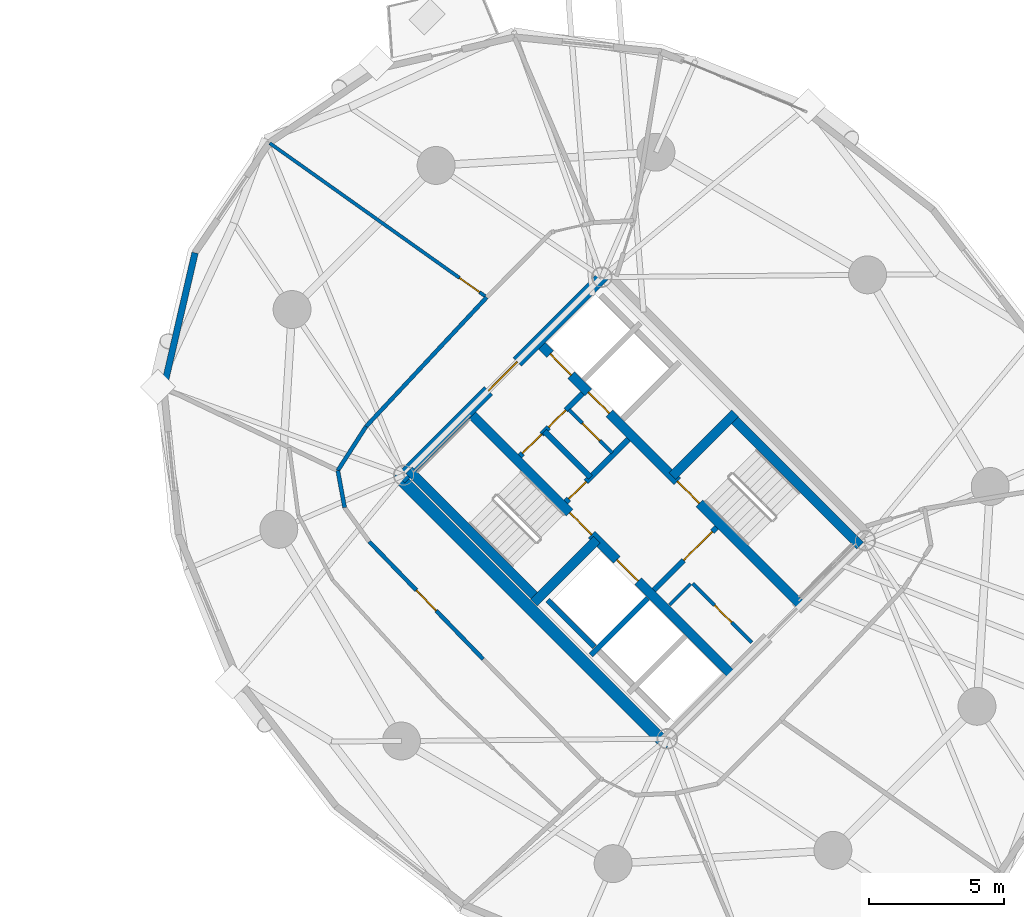
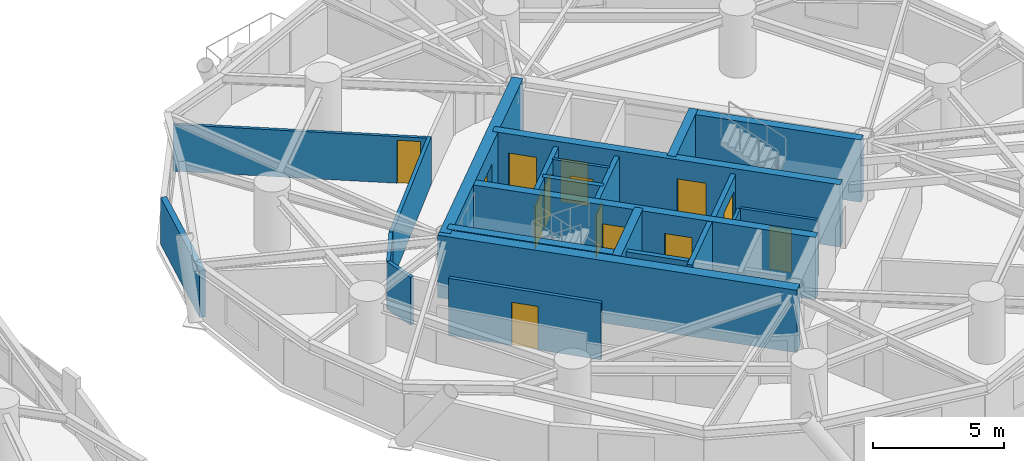
# One storey, part 13 of 18: 23 walls, 14 doors, 14 openings.
"""IFC4 building model written with IfcOpenShell, lengths in metres."""

from ifc_helpers import new_model, si_unit, direction, frame, frame_2d, origin, place, context, subcontext, project, spatial, rectangle, extrude, source, transform, mapped, material, layer, layer_set, type_object, element, fill, save


model = new_model("IFC4")

# Units and contexts
model_context = context("Model", 3, precision=1e-05, world=origin(), true_north=direction((0.0, 1.0)))
body_context = subcontext(model_context, "Body", "Model", "MODEL_VIEW")
ifc_project = project(units=[si_unit("LENGTHUNIT", "METRE"), si_unit("AREAUNIT", "SQUARE_METRE"), si_unit("VOLUMEUNIT", "CUBIC_METRE"), si_unit("PLANEANGLEUNIT", "RADIAN"), si_unit("MASSUNIT", "GRAM", prefix="KILO")], contexts=[model_context])

# Site, building, storey
site_placement = place(None, origin())
site = spatial("IfcSite", under=ifc_project, at=site_placement, CompositionType="ELEMENT")
building_placement = place(site_placement, origin())
building = spatial("IfcBuilding", under=site, at=building_placement, Name="Cununo Teusaquillo Station Towers", CompositionType="ELEMENT")
storey_placement = place(building_placement, frame((0.0, 0.0, 119.6201171875)))
storey = spatial("IfcBuildingStorey", under=building, at=storey_placement, Name="L38", CompositionType="ELEMENT", Elevation=119.6201171875)

# Walls
ifc_material_1 = material(Name="Concrete C50/60", Category="concrete")
ifc_layer_1 = layer(ifc_material_1, 0.199951171875)
ifc_layer_set_1 = layer_set([ifc_layer_1], Name="Concrete C50/60")
wall_type_1 = type_object("IfcWallType", Name="WL-CORE-200", PredefinedType="SHEAR", material=ifc_layer_set_1)
wall_1_placement = place(storey_placement, frame((55.8876953125, 19.0693359375, 0.0), z_axis=(0.0, 0.0, 1.0), x_axis=(0.707106781187, 0.707106781187, 0.0)))
element("IfcWall", 1, at=wall_1_placement, inside=storey, type_object=wall_type_1, Name="L38 Tower B Firefighting Lift Shaft South Shear Wall", PredefinedType="SHEAR", context=body_context, shape_type="SweptSolid", body=[
    extrude(rectangle(XDim=2.969970703125, YDim=0.199951171875, at=frame_2d((1.48486328125, 0.0))), origin(), (0.0, 0.0, 1.0), 2.909912109375),
])
wall_2_placement = place(storey_placement, frame((56.01513671875, 19.366455078125, 0.0), z_axis=(0.0, 0.0, 1.0), x_axis=(-0.707106781187, 0.707106781187, 0.0)))
element("IfcWall", 2, at=wall_2_placement, inside=storey, type_object=wall_type_1, Name="L38 Tower B Firefighting Lift Shaft Rear Shear Wall", PredefinedType="SHEAR", context=body_context, shape_type="SweptSolid", body=[
    extrude(rectangle(XDim=2.43994140625, YDim=0.199951171875, at=frame_2d((1.219970703125, 0.0))), origin(), (0.0, 0.0, 1.0), 2.909912109375),
])

# Wall, openings, doors
ifc_material_2 = material(Name="Concrete C50/60", Category="concrete")
ifc_layer_2 = layer(ifc_material_2, 0.35009765625)
ifc_layer_set_2 = layer_set([ifc_layer_2], Name="Concrete C50/60")
wall_type_2 = type_object("IfcWallType", Name="WL-CORE-350", PredefinedType="SHEAR", material=ifc_layer_set_2)
wall_3_placement = place(storey_placement, frame((61.077880859375, 18.355224609375, 0.0), z_axis=(0.0, 0.0, 1.0), x_axis=(-0.707106781187, 0.707106781187, 0.0)))
wall_3 = element("IfcWall", 3, at=wall_3_placement, inside=storey, type_object=wall_type_2, Name="L38 Tower B Core Shear Wall IW", PredefinedType="SHEAR", context=body_context, shape_type="SweptSolid", body=[
    extrude(rectangle(XDim=13.75, YDim=0.35009765625, at=frame_2d((6.875, 0.0))), origin(), (0.0, 0.0, 1.0), 2.909912109375),
])
shared_shape_1 = source(origin(), body_context, "Body", "SweptSolid", [
    extrude(rectangle(XDim=1.10009765625, YDim=2.014892578125, at=frame_2d((0.550048828125, 1.00732421875))), frame((0.0, 0.18505859375, 0.0), z_axis=(0.0, -1.0, 0.0), x_axis=(1.0, 0.0, 0.0)), (0.0, 0.0, 1.0), 0.3701171875),
])
opening_1_placement = place(wall_3_placement, frame((4.875, 0.0, 0.0)))
opening_1 = element("IfcOpeningElement", 4, at=opening_1_placement, cuts=wall_3, Name="Opening LD-01", PredefinedType="OPENING", context=body_context, shape_type="MappedRepresentation", body=[
    mapped(shared_shape_1, transform((0.0, 0.0, 0.0), x_axis=(1.0, 0.0, 0.0), y_axis=(0.0, 1.0, 0.0), z_axis=(0.0, 0.0, 1.0), scale=1.0)),
])
shared_shape_2 = source(origin(), body_context, "Body", "SweptSolid", [
    extrude(rectangle(XDim=1.14990234375, YDim=2.02001953125, at=frame_2d((0.574951171875, 1.010009765625))), frame((0.0, 0.18505859375, 0.0), z_axis=(0.0, -1.0, 0.0), x_axis=(1.0, 0.0, 0.0)), (0.0, 0.0, 1.0), 0.3701171875),
])
opening_2_placement = place(wall_3_placement, frame((7.294921875, 0.0, 0.0)))
opening_2 = element("IfcOpeningElement", 5, at=opening_2_placement, cuts=wall_3, Name="Opening D-ST1", PredefinedType="OPENING", context=body_context, shape_type="MappedRepresentation", body=[
    mapped(shared_shape_2, transform((0.0, 0.0, 0.0), x_axis=(1.0, 0.0, 0.0), y_axis=(0.0, 1.0, 0.0), z_axis=(0.0, 0.0, 1.0), scale=1.0)),
])
ifc_material_3 = material(Name="Galvanised fire-rated hollow steel door assembly", Category="steel")
door_type_1 = type_object("IfcDoorType", Name="DR-LIFT-1100", OperationType="SLIDING_TO_LEFT", PredefinedType="DOOR", material=ifc_material_3)
shared_shape_3 = source(origin(), body_context, "Body", "SweptSolid", [
    extrude(rectangle(XDim=1.10009765625, YDim=2.014892578125, at=frame_2d((0.550048828125, 1.00732421875))), frame((0.0, 0.02490234375, 0.0), z_axis=(0.0, -1.0, 0.0), x_axis=(1.0, 0.0, 0.0)), (0.0, 0.0, 1.0), 0.050048828125),
])
door_1_placement = place(opening_1_placement, origin())
door_1 = element("IfcDoor", 6, at=door_1_placement, inside=storey, type_object=door_type_1, Name="L38 Lift FL-T2 Sliding Landing Door", OperationType="SLIDING_TO_RIGHT", OverallHeight=2.014892578125, OverallWidth=1.10009765625, PredefinedType="DOOR", context=body_context, shape_type="MappedRepresentation", body=[
    mapped(shared_shape_3, transform((0.0, 0.0, 0.0), x_axis=(1.0, 0.0, 0.0), y_axis=(0.0, 1.0, 0.0), z_axis=(0.0, 0.0, 1.0), scale=1.0)),
])
fill(opening_1, door_1)
ifc_material_4 = material(Name="Galvanised fire-rated hollow steel door assembly", Category="steel")
door_type_2 = type_object("IfcDoorType", Name="DR-STAIR-1150", OperationType="NOTDEFINED", PredefinedType="DOOR", material=ifc_material_4)
shared_shape_4 = source(origin(), body_context, "Body", "SweptSolid", [
    extrude(rectangle(XDim=1.14990234375, YDim=2.02001953125, at=frame_2d((0.574951171875, 1.010009765625))), frame((0.0, 0.02490234375, 0.0), z_axis=(0.0, -1.0, 0.0), x_axis=(1.0, 0.0, 0.0)), (0.0, 0.0, 1.0), 0.050048828125),
])
door_2_placement = place(opening_2_placement, origin())
door_2 = element("IfcDoor", 7, at=door_2_placement, inside=storey, type_object=door_type_2, Name="L38 Tower B Exit Stair 1 Fire Door", OperationType="SINGLE_SWING_RIGHT", OverallHeight=2.02001953125, OverallWidth=1.14990234375, PredefinedType="DOOR", context=body_context, shape_type="MappedRepresentation", body=[
    mapped(shared_shape_4, transform((0.0, 0.0, 0.0), x_axis=(1.0, 0.0, 0.0), y_axis=(0.0, 1.0, 0.0), z_axis=(0.0, 0.0, 1.0), scale=1.0)),
])
fill(opening_2, door_2)

wall_4_placement = place(storey_placement, frame((63.644775390625, 20.922119140625, 0.0), z_axis=(0.0, 0.0, 1.0), x_axis=(-0.707106781187, 0.707106781187, 0.0)))
wall_4 = element("IfcWall", 8, at=wall_4_placement, inside=storey, type_object=wall_type_2, Name="L38 Tower B Core Shear Wall IE", PredefinedType="SHEAR", context=body_context, shape_type="SweptSolid", body=[
    extrude(rectangle(XDim=13.75, YDim=0.35009765625, at=frame_2d((6.875, 0.0))), origin(), (0.0, 0.0, 1.0), 2.909912109375),
])
opening_3_placement = place(wall_4_placement, frame((10.0, 0.0, 0.0)))
opening_3 = element("IfcOpeningElement", 9, at=opening_3_placement, cuts=wall_4, Name="Opening LD-01", PredefinedType="OPENING", context=body_context, shape_type="MappedRepresentation", body=[
    mapped(shared_shape_1, transform((0.0, 0.0, 0.0), x_axis=(1.0, 0.0, 0.0), y_axis=(0.0, 1.0, 0.0), z_axis=(0.0, 0.0, 1.0), scale=1.0)),
])
opening_4_placement = place(wall_4_placement, frame((12.0, 0.0, 0.0)))
opening_4 = element("IfcOpeningElement", 10, at=opening_4_placement, cuts=wall_4, Name="Opening LD-01", PredefinedType="OPENING", context=body_context, shape_type="MappedRepresentation", body=[
    mapped(shared_shape_1, transform((0.0, 0.0, 0.0), x_axis=(1.0, 0.0, 0.0), y_axis=(0.0, 1.0, 0.0), z_axis=(0.0, 0.0, 1.0), scale=1.0)),
])
opening_5_placement = place(wall_4_placement, frame((5.304931640625, 0.0, 0.0)))
opening_5 = element("IfcOpeningElement", 11, at=opening_5_placement, cuts=wall_4, Name="Opening D-ST1", PredefinedType="OPENING", context=body_context, shape_type="MappedRepresentation", body=[
    mapped(shared_shape_2, transform((0.0, 0.0, 0.0), x_axis=(1.0, 0.0, 0.0), y_axis=(0.0, 1.0, 0.0), z_axis=(0.0, 0.0, 1.0), scale=1.0)),
])
door_3_placement = place(opening_3_placement, origin())
door_3 = element("IfcDoor", 12, at=door_3_placement, inside=storey, type_object=door_type_1, Name="L38 Lift PL-T2-L1 Sliding Landing Door", OperationType="SLIDING_TO_RIGHT", OverallHeight=2.014892578125, OverallWidth=1.10009765625, PredefinedType="DOOR", context=body_context, shape_type="MappedRepresentation", body=[
    mapped(shared_shape_3, transform((0.0, 0.0, 0.0), x_axis=(1.0, 0.0, 0.0), y_axis=(0.0, 1.0, 0.0), z_axis=(0.0, 0.0, 1.0), scale=1.0)),
])
fill(opening_3, door_3)
door_4_placement = place(opening_4_placement, origin())
door_4 = element("IfcDoor", 13, at=door_4_placement, inside=storey, type_object=door_type_1, Name="L38 Lift PL-T2-L2 Sliding Landing Door", OperationType="SLIDING_TO_LEFT", OverallHeight=2.014892578125, OverallWidth=1.10009765625, PredefinedType="DOOR", context=body_context, shape_type="MappedRepresentation", body=[
    mapped(shared_shape_3, transform((0.0, 0.0, 0.0), x_axis=(1.0, 0.0, 0.0), y_axis=(0.0, 1.0, 0.0), z_axis=(0.0, 0.0, 1.0), scale=1.0)),
])
fill(opening_4, door_4)
door_5_placement = place(opening_5_placement, origin())
door_5 = element("IfcDoor", 14, at=door_5_placement, inside=storey, type_object=door_type_2, Name="L38 Tower B Exit Stair 2 Fire Door", OperationType="SINGLE_SWING_LEFT", OverallHeight=2.02001953125, OverallWidth=1.14990234375, PredefinedType="DOOR", context=body_context, shape_type="MappedRepresentation", body=[
    mapped(shared_shape_4, transform((0.0, 0.0, 0.0), x_axis=(1.0, 0.0, 0.0), y_axis=(0.0, 1.0, 0.0), z_axis=(0.0, 0.0, 1.0), scale=1.0)),
])
fill(opening_5, door_5)

# Walls
wall_5_placement = place(storey_placement, frame((53.922119140625, 21.14111328125, 0.0), z_axis=(0.0, 0.0, 1.0), x_axis=(-0.707088616009, 0.707124945897, 0.0)))
element("IfcWall", 15, at=wall_5_placement, inside=storey, type_object=wall_type_2, Name="L38 Tower B Core Shear Wall ST1W", PredefinedType="SHEAR", context=body_context, shape_type="SweptSolid", body=[
    extrude(rectangle(XDim=6.72021484375, YDim=0.35009765625, at=frame_2d((3.360107421875, 0.0))), origin(), (0.0, 0.0, 1.0), 2.909912109375),
])
wall_6_placement = place(storey_placement, frame((53.7841796875, 21.00341796875, 0.0), z_axis=(0.0, 0.0, 1.0), x_axis=(0.707106781187, 0.707106781187, 0.0)))
element("IfcWall", 16, at=wall_6_placement, inside=storey, type_object=wall_type_2, Name="L38 Tower B Core Shear Wall ST1S", PredefinedType="SHEAR", context=body_context, shape_type="SweptSolid", body=[
    extrude(rectangle(XDim=3.284912109375, YDim=0.35009765625, at=frame_2d((1.642578125, 0.0))), origin(), (0.0, 0.0, 1.0), 2.909912109375),
])
wall_7_placement = place(storey_placement, frame((65.82958984375, 23.10693359375, 0.0), z_axis=(0.0, 0.0, 1.0), x_axis=(-0.707088616009, 0.707124945897, 0.0)))
element("IfcWall", 17, at=wall_7_placement, inside=storey, type_object=wall_type_2, Name="L38 Tower B Core Shear Wall ST2E", PredefinedType="SHEAR", context=body_context, shape_type="SweptSolid", body=[
    extrude(rectangle(XDim=6.72021484375, YDim=0.35009765625, at=frame_2d((3.360107421875, 0.0))), origin(), (0.0, 0.0, 1.0), 2.909912109375),
])
wall_8_placement = place(storey_placement, frame((58.89306640625, 25.673828125, 0.0), z_axis=(0.0, 0.0, 1.0), x_axis=(0.707106781187, 0.707106781187, 0.0)))
element("IfcWall", 18, at=wall_8_placement, inside=storey, type_object=wall_type_2, Name="L38 Tower B Core Shear Wall ST2N", PredefinedType="SHEAR", context=body_context, shape_type="SweptSolid", body=[
    extrude(rectangle(XDim=3.284912109375, YDim=0.35009765625, at=frame_2d((1.642578125, 0.0))), origin(), (0.0, 0.0, 1.0), 2.909912109375),
])
ifc_material_5 = material(Name="Concrete C60/75", Category="concrete")
ifc_layer_3 = layer(ifc_material_5, 0.449951171875)
ifc_layer_set_3 = layer_set([ifc_layer_3], Name="Concrete C60/75")
wall_type_3 = type_object("IfcWallType", Name="WL-CORE-450", PredefinedType="SHEAR", material=ifc_layer_set_3)
wall_9_placement = place(storey_placement, frame((58.7373046875, 15.696533203125, 0.0), z_axis=(0.0, 0.0, 1.0), x_axis=(-0.707106781187, 0.707106781187, 0.0)))
element("IfcWall", 19, at=wall_9_placement, inside=storey, type_object=wall_type_3, Name="L38 Tower B Core Shear Wall W", PredefinedType="SHEAR", context=body_context, shape_type="SweptSolid", body=[
    extrude(rectangle(XDim=14.19970703125, YDim=0.449951171875, at=frame_2d((7.099853515625, 0.0))), origin(), (0.0, 0.0, 1.0), 2.909912109375),
])

# Wall, opening, door
wall_10_placement = place(storey_placement, frame((48.855712890625, 25.578369140625, 0.0), z_axis=(0.0, 0.0, 1.0), x_axis=(0.707106781187, 0.707106781187, 0.0)))
wall_10 = element("IfcWall", 20, at=wall_10_placement, inside=storey, type_object=wall_type_3, Name="L38 Tower B Core Shear Wall N", PredefinedType="SHEAR", context=body_context, shape_type="SweptSolid", body=[
    extrude(rectangle(XDim=10.69970703125, YDim=0.449951171875, at=frame_2d((5.349853515625, 0.0))), origin(), (0.0, 0.0, 1.0), 2.909912109375),
])
shared_shape_5 = source(origin(), body_context, "Body", "SweptSolid", [
    extrude(rectangle(XDim=1.5, YDim=2.02001953125, at=frame_2d((0.75, 1.010009765625))), frame((0.0, 0.23486328125, 0.0), z_axis=(0.0, -1.0, 0.0), x_axis=(1.0, 0.0, 0.0)), (0.0, 0.0, 1.0), 0.469970703125),
])
opening_6_placement = place(wall_10_placement, frame((4.60009765625, 0.0, 0.0)))
opening_6 = element("IfcOpeningElement", 21, at=opening_6_placement, cuts=wall_10, Name="Opening D-LB1", PredefinedType="OPENING", context=body_context, shape_type="MappedRepresentation", body=[
    mapped(shared_shape_5, transform((0.0, 0.0, 0.0), x_axis=(1.0, 0.0, 0.0), y_axis=(0.0, 1.0, 0.0), z_axis=(0.0, 0.0, 1.0), scale=1.0)),
])
ifc_material_6 = material(Name="Galvanised fire-rated hollow steel door assembly", Category="steel")
door_type_3 = type_object("IfcDoorType", Name="DR-LOBBY-1500", OperationType="DOUBLE_DOOR_SINGLE_SWING", PredefinedType="DOOR", material=ifc_material_6)
shared_shape_6 = source(origin(), body_context, "Body", "SweptSolid", [
    extrude(rectangle(XDim=1.5, YDim=2.02001953125, at=frame_2d((0.75, 1.010009765625))), frame((0.0, 0.02490234375, 0.0), z_axis=(0.0, -1.0, 0.0), x_axis=(1.0, 0.0, 0.0)), (0.0, 0.0, 1.0), 0.050048828125),
])
door_6_placement = place(opening_6_placement, origin())
door_6 = element("IfcDoor", 22, at=door_6_placement, inside=storey, type_object=door_type_3, Name="L38 Tower B North Core Lift Lobby Door", OperationType="DOUBLE_DOOR_SINGLE_SWING", OverallHeight=2.02001953125, OverallWidth=1.5, PredefinedType="DOOR", context=body_context, shape_type="MappedRepresentation", body=[
    mapped(shared_shape_6, transform((0.0, 0.0, 0.0), x_axis=(1.0, 0.0, 0.0), y_axis=(0.0, 1.0, 0.0), z_axis=(0.0, 0.0, 1.0), scale=1.0)),
])
fill(opening_6, door_6)

# Wall
ifc_material_7 = material(Name="Precast concrete C40/50", Category="concrete")
ifc_layer_4 = layer(ifc_material_7, 0.239990234375)
ifc_layer_set_4 = layer_set([ifc_layer_4], Name="Precast concrete C40/50")
wall_type_4 = type_object("IfcWallType", Name="WL-EXT-240", PredefinedType="SOLIDWALL", material=ifc_layer_set_4)
wall_11_placement = place(storey_placement, frame((40.114990234375, 28.933349609375, 0.0), z_axis=(0.0, 0.0, 1.0), x_axis=(0.225834725257, 0.974165631126, 0.0)))
element("IfcWall", 23, at=wall_11_placement, inside=storey, type_object=wall_type_4, Name="L38 Tower B Exterior Facade Wall C06", PredefinedType="SOLIDWALL", context=body_context, shape_type="SweptSolid", body=[
    extrude(rectangle(XDim=5.118896484375, YDim=0.239990234375, at=frame_2d((2.5595703125, 0.0))), origin(), (0.0, 0.0, 1.0), 2.178955078125),
])

# Wall, opening, door
ifc_material_8 = material(Name="Fire-rated gypsum plasterboard partition assembly", Category="gypsum")
ifc_layer_5 = layer(ifc_material_8, 0.125)
ifc_layer_set_5 = layer_set([ifc_layer_5], Name="Fire-rated gypsum plasterboard partition assembly")
wall_type_5 = type_object("IfcWallType", Name="WL-PART-125", PredefinedType="PARTITIONING", material=ifc_layer_set_5)
wall_12_placement = place(storey_placement, frame((61.834716796875, 19.529052734375, 0.0), z_axis=(0.0, 0.0, 1.0), x_axis=(-0.707146413884, 0.707067146267, 0.0)))
wall_12 = element("IfcWall", 24, at=wall_12_placement, inside=storey, type_object=wall_type_5, Name="L38 Tower B South-West Tall Store East Wall", PredefinedType="PARTITIONING", context=body_context, shape_type="SweptSolid", body=[
    extrude(rectangle(XDim=3.079833984375, YDim=0.125, at=frame_2d((1.5400390625, 0.0))), origin(), (0.0, 0.0, 1.0), 2.65478515625),
])
shared_shape_7 = source(origin(), body_context, "Body", "SweptSolid", [
    extrude(rectangle(XDim=0.89990234375, YDim=2.0048828125, at=frame_2d((0.449951171875, 1.00244140625))), frame((0.0, 0.072509765625, 0.0), z_axis=(0.0, -1.0, 0.0), x_axis=(1.0, 0.0, 0.0)), (0.0, 0.0, 1.0), 0.14501953125),
])
opening_7_placement = place(wall_12_placement, frame((1.050048828125, 0.0, 0.0)))
opening_7 = element("IfcOpeningElement", 25, at=opening_7_placement, cuts=wall_12, Name="Opening D-SR1", PredefinedType="OPENING", context=body_context, shape_type="MappedRepresentation", body=[
    mapped(shared_shape_7, transform((0.0, 0.0, 0.0), x_axis=(1.0, 0.0, 0.0), y_axis=(0.0, 1.0, 0.0), z_axis=(0.0, 0.0, 1.0), scale=1.0)),
])
ifc_material_9 = material(Name="Galvanised fire-rated hollow steel door assembly", Category="steel")
door_type_4 = type_object("IfcDoorType", Name="DR-STORE-900", OperationType="NOTDEFINED", PredefinedType="DOOR", material=ifc_material_9)
shared_shape_8 = source(origin(), body_context, "Body", "SweptSolid", [
    extrude(rectangle(XDim=0.89990234375, YDim=2.0048828125, at=frame_2d((0.449951171875, 1.00244140625))), frame((0.0, 0.02490234375, 0.0), z_axis=(0.0, -1.0, 0.0), x_axis=(1.0, 0.0, 0.0)), (0.0, 0.0, 1.0), 0.050048828125),
])
door_7_placement = place(opening_7_placement, origin())
door_7 = element("IfcDoor", 26, at=door_7_placement, inside=storey, type_object=door_type_4, Name="L38 Tower B South Cleaners Store Door", OperationType="SINGLE_SWING_RIGHT", OverallHeight=2.0048828125, OverallWidth=0.89990234375, PredefinedType="DOOR", context=body_context, shape_type="MappedRepresentation", body=[
    mapped(shared_shape_8, transform((0.0, 0.0, 0.0), x_axis=(1.0, 0.0, 0.0), y_axis=(0.0, 1.0, 0.0), z_axis=(0.0, 0.0, 1.0), scale=1.0)),
])
fill(opening_7, door_7)

# Wall
wall_13_placement = place(storey_placement, frame((58.7939453125, 20.9150390625, 0.0), z_axis=(0.0, 0.0, 1.0), x_axis=(0.707106781187, 0.707106781187, 0.0)))
element("IfcWall", 27, at=wall_13_placement, inside=storey, type_object=wall_type_5, Name="L38 Tower B South-West Tall Store North Wall", PredefinedType="PARTITIONING", context=body_context, shape_type="SweptSolid", body=[
    extrude(rectangle(XDim=1.10009765625, YDim=0.125, at=frame_2d((0.550048828125, 0.0))), origin(), (0.0, 0.0, 1.0), 2.65478515625),
])

# Wall, opening, door
wall_14_placement = place(storey_placement, frame((56.672607421875, 26.529296875, 0.0), z_axis=(0.0, 0.0, 1.0), x_axis=(-0.707052764397, 0.70716079385, 0.0)))
wall_14 = element("IfcWall", 28, at=wall_14_placement, inside=storey, type_object=wall_type_5, Name="L38 Tower B Core Vertical Split Wall", PredefinedType="PARTITIONING", context=body_context, shape_type="SweptSolid", body=[
    extrude(rectangle(XDim=2.260009765625, YDim=0.125, at=frame_2d((1.1298828125, 0.0))), origin(), (0.0, 0.0, 1.0), 2.65478515625),
])
opening_8_placement = place(wall_14_placement, frame((0.64990234375, 0.0, 0.0)))
opening_8 = element("IfcOpeningElement", 29, at=opening_8_placement, cuts=wall_14, Name="Opening D-SR1", PredefinedType="OPENING", context=body_context, shape_type="MappedRepresentation", body=[
    mapped(shared_shape_7, transform((0.0, 0.0, 0.0), x_axis=(1.0, 0.0, 0.0), y_axis=(0.0, 1.0, 0.0), z_axis=(0.0, 0.0, 1.0), scale=1.0)),
])
door_8_placement = place(opening_8_placement, origin())
door_8 = element("IfcDoor", 30, at=door_8_placement, inside=storey, type_object=door_type_4, Name="L38 Tower B Core Electrical Room Door", OperationType="SINGLE_SWING_RIGHT", OverallHeight=2.0048828125, OverallWidth=0.89990234375, PredefinedType="DOOR", context=body_context, shape_type="MappedRepresentation", body=[
    mapped(shared_shape_8, transform((0.0, 0.0, 0.0), x_axis=(1.0, 0.0, 0.0), y_axis=(0.0, 1.0, 0.0), z_axis=(0.0, 0.0, 1.0), scale=1.0)),
])
fill(opening_8, door_8)

wall_15_placement = place(storey_placement, frame((52.04345703125, 32.27978515625, 0.0), z_axis=(0.0, 0.0, 1.0), x_axis=(-0.81534487613, 0.578975589268, 0.0)))
wall_15 = element("IfcWall", 31, at=wall_15_placement, inside=storey, type_object=wall_type_5, Name="L38 Tower B Executive C-Suite Corner Office Suite Subdividing Wall", PredefinedType="PARTITIONING", context=body_context, shape_type="SweptSolid", body=[
    extrude(rectangle(XDim=9.828857421875, YDim=0.125, at=frame_2d((4.91455078125, 0.0))), origin(), (0.0, 0.0, 1.0), 2.178955078125),
])
opening_9_placement = place(wall_15_placement, frame((0.330078125, 0.0, 0.0)))
opening_9 = element("IfcOpeningElement", 32, at=opening_9_placement, cuts=wall_15, Name="Opening D-IN1", PredefinedType="OPENING", context=body_context, shape_type="MappedRepresentation", body=[
    mapped(shared_shape_7, transform((0.0, 0.0, 0.0), x_axis=(1.0, 0.0, 0.0), y_axis=(0.0, 1.0, 0.0), z_axis=(0.0, 0.0, 1.0), scale=1.0)),
])
ifc_material_10 = material(Name="Acoustic solid-core hardwood leaf assembly", Category="wood")
door_type_5 = type_object("IfcDoorType", Name="DR-INT-900", OperationType="NOTDEFINED", PredefinedType="DOOR", material=ifc_material_10)
door_9_placement = place(opening_9_placement, origin())
door_9 = element("IfcDoor", 33, at=door_9_placement, inside=storey, type_object=door_type_5, Name="L38 Tower B Executive C-Suite Corner Office Suite Connecting Door", OperationType="SINGLE_SWING_RIGHT", OverallHeight=2.0048828125, OverallWidth=0.89990234375, PredefinedType="DOOR", context=body_context, shape_type="MappedRepresentation", body=[
    mapped(shared_shape_8, transform((0.0, 0.0, 0.0), x_axis=(1.0, 0.0, 0.0), y_axis=(0.0, 1.0, 0.0), z_axis=(0.0, 0.0, 1.0), scale=1.0)),
])
fill(opening_9, door_9)

# Walls
ifc_material_11 = material(Name="Fire-rated gypsum plasterboard partition assembly", Category="gypsum")
ifc_layer_6 = layer(ifc_material_11, 0.14990234375)
ifc_layer_set_6 = layer_set([ifc_layer_6], Name="Fire-rated gypsum plasterboard partition assembly")
wall_type_6 = type_object("IfcWallType", Name="WL-PART-150", PredefinedType="PARTITIONING", material=ifc_layer_set_6)
wall_16_placement = place(storey_placement, frame((52.04345703125, 32.27978515625, 0.0), z_axis=(0.0, 0.0, 1.0), x_axis=(-0.682606081633, -0.730786519661, 0.0)))
element("IfcWall", 34, at=wall_16_placement, inside=storey, type_object=wall_type_6, Name="L38 Tower B Corridor Ring Wall C05", PredefinedType="PARTITIONING", context=body_context, shape_type="SweptSolid", body=[
    extrude(rectangle(XDim=6.526611328125, YDim=0.14990234375, at=frame_2d((3.26318359375, 0.0))), origin(), (0.0, 0.0, 1.0), 2.224853515625),
])
wall_17_placement = place(storey_placement, frame((47.58837890625, 27.51025390625, 0.0), z_axis=(0.0, 0.0, 1.0), x_axis=(-0.540202619347, -0.841534984449, 0.0)))
element("IfcWall", 35, at=wall_17_placement, inside=storey, type_object=wall_type_6, Name="L38 Tower B Corridor Ring Wall C06", PredefinedType="PARTITIONING", context=body_context, shape_type="SweptSolid", body=[
    extrude(rectangle(XDim=1.934814453125, YDim=0.14990234375, at=frame_2d((0.96728515625, 0.0))), origin(), (0.0, 0.0, 1.0), 2.224853515625),
])
wall_18_placement = place(storey_placement, frame((46.543212890625, 25.882080078125, 0.0), z_axis=(0.0, 0.0, 1.0), x_axis=(0.181153502579, -0.983454832976, 0.0)))
element("IfcWall", 36, at=wall_18_placement, inside=storey, type_object=wall_type_6, Name="L38 Tower B Corridor Ring Wall C07", PredefinedType="PARTITIONING", context=body_context, shape_type="SweptSolid", body=[
    extrude(rectangle(XDim=1.39208984375, YDim=0.14990234375, at=frame_2d((0.696044921875, 0.0))), origin(), (0.0, 0.0, 1.0), 2.224853515625),
])

# Wall, opening, door
wall_19_placement = place(storey_placement, frame((47.70556640625, 23.253173828125, 0.0), z_axis=(0.0, 0.0, 1.0), x_axis=(0.696179266346, -0.717867974707, 0.0)))
wall_19 = element("IfcWall", 37, at=wall_19_placement, inside=storey, type_object=wall_type_6, Name="L38 Tower B Corridor Ring Wall C09", PredefinedType="PARTITIONING", context=body_context, shape_type="SweptSolid", body=[
    extrude(rectangle(XDim=6.044677734375, YDim=0.14990234375, at=frame_2d((3.0224609375, 0.0))), origin(), (0.0, 0.0, 1.0), 2.65478515625),
])
shared_shape_9 = source(origin(), body_context, "Body", "SweptSolid", [
    extrude(rectangle(XDim=1.050048828125, YDim=2.014892578125, at=frame_2d((0.52490234375, 1.00732421875))), frame((0.0, 0.0849609375, 0.0), z_axis=(0.0, -1.0, 0.0), x_axis=(1.0, 0.0, 0.0)), (0.0, 0.0, 1.0), 0.169921875),
])
opening_10_placement = place(wall_19_placement, frame((2.497314453125, 0.0, 0.0)))
opening_10 = element("IfcOpeningElement", 38, at=opening_10_placement, cuts=wall_19, Name="Opening D-SU1", PredefinedType="OPENING", context=body_context, shape_type="MappedRepresentation", body=[
    mapped(shared_shape_9, transform((0.0, 0.0, 0.0), x_axis=(1.0, 0.0, 0.0), y_axis=(0.0, 1.0, 0.0), z_axis=(0.0, 0.0, 1.0), scale=1.0)),
])
ifc_material_12 = material(Name="Acoustic solid-core hardwood leaf assembly", Category="wood")
door_type_6 = type_object("IfcDoorType", Name="DR-SUITE-1050", OperationType="NOTDEFINED", PredefinedType="DOOR", material=ifc_material_12)
shared_shape_10 = source(origin(), body_context, "Body", "SweptSolid", [
    extrude(rectangle(XDim=1.050048828125, YDim=2.014892578125, at=frame_2d((0.52490234375, 1.00732421875))), frame((0.0, 0.02490234375, 0.0), z_axis=(0.0, -1.0, 0.0), x_axis=(1.0, 0.0, 0.0)), (0.0, 0.0, 1.0), 0.050048828125),
])
door_10_placement = place(opening_10_placement, origin())
door_10 = element("IfcDoor", 39, at=door_10_placement, inside=storey, type_object=door_type_6, Name="L38 Tower B Corporate Strategy Boardroom Entrance Door", OperationType="SINGLE_SWING_LEFT", OverallHeight=2.014892578125, OverallWidth=1.050048828125, PredefinedType="DOOR", context=body_context, shape_type="MappedRepresentation", body=[
    mapped(shared_shape_10, transform((0.0, 0.0, 0.0), x_axis=(1.0, 0.0, 0.0), y_axis=(0.0, 1.0, 0.0), z_axis=(0.0, 0.0, 1.0), scale=1.0)),
])
fill(opening_10, door_10)

ifc_material_13 = material(Name="Fire-rated gypsum plasterboard partition assembly", Category="gypsum")
ifc_layer_7 = layer(ifc_material_13, 0.199951171875)
ifc_layer_set_7 = layer_set([ifc_layer_7], Name="Fire-rated gypsum plasterboard partition assembly")
wall_type_7 = type_object("IfcWallType", Name="WL-PART-200", PredefinedType="PARTITIONING", material=ifc_layer_set_7)
wall_20_placement = place(storey_placement, frame((58.214111328125, 21.466552734375, 0.0), z_axis=(0.0, 0.0, 1.0), x_axis=(0.707106781187, 0.707106781187, 0.0)))
wall_20 = element("IfcWall", 40, at=wall_20_placement, inside=storey, type_object=wall_type_7, Name="L38 Tower B Firefighting Lift Lobby South Fire Wall", PredefinedType="PARTITIONING", context=body_context, shape_type="SweptSolid", body=[
    extrude(rectangle(XDim=3.280029296875, YDim=0.199951171875, at=frame_2d((1.64013671875, 0.0))), origin(), (0.0, 0.0, 1.0), 2.65478515625),
])
shared_shape_11 = source(origin(), body_context, "Body", "SweptSolid", [
    extrude(rectangle(XDim=1.5, YDim=2.02001953125, at=frame_2d((0.75, 1.010009765625))), frame((0.0, 0.10986328125, 0.0), z_axis=(0.0, -1.0, 0.0), x_axis=(1.0, 0.0, 0.0)), (0.0, 0.0, 1.0), 0.219970703125),
])
opening_11_placement = place(wall_20_placement, frame((1.550048828125, 0.0, 0.0)))
opening_11 = element("IfcOpeningElement", 41, at=opening_11_placement, cuts=wall_20, Name="Opening D-LB1", PredefinedType="OPENING", context=body_context, shape_type="MappedRepresentation", body=[
    mapped(shared_shape_11, transform((0.0, 0.0, 0.0), x_axis=(1.0, 0.0, 0.0), y_axis=(0.0, 1.0, 0.0), z_axis=(0.0, 0.0, 1.0), scale=1.0)),
])
door_11_placement = place(opening_11_placement, origin())
door_11 = element("IfcDoor", 42, at=door_11_placement, inside=storey, type_object=door_type_3, Name="L38 Tower B Firefighting Lift Lobby South Fire Door", OperationType="DOUBLE_DOOR_SINGLE_SWING", OverallHeight=2.02001953125, OverallWidth=1.5, PredefinedType="DOOR", context=body_context, shape_type="MappedRepresentation", body=[
    mapped(shared_shape_6, transform((0.0, 0.0, 0.0), x_axis=(1.0, 0.0, 0.0), y_axis=(0.0, 1.0, 0.0), z_axis=(0.0, 0.0, 1.0), scale=1.0)),
])
fill(opening_11, door_11)

wall_21_placement = place(storey_placement, frame((54.96142578125, 24.71923828125, 0.0), z_axis=(0.0, 0.0, 1.0), x_axis=(0.707106781187, 0.707106781187, 0.0)))
wall_21 = element("IfcWall", 43, at=wall_21_placement, inside=storey, type_object=wall_type_7, Name="L38 Tower B Firefighting Lift Lobby North Fire Wall", PredefinedType="PARTITIONING", context=body_context, shape_type="SweptSolid", body=[
    extrude(rectangle(XDim=3.280029296875, YDim=0.199951171875, at=frame_2d((1.64013671875, 0.0))), origin(), (0.0, 0.0, 1.0), 2.65478515625),
])
shared_shape_12 = source(origin(), body_context, "Body", "SweptSolid", [
    extrude(rectangle(XDim=0.89990234375, YDim=2.0048828125, at=frame_2d((0.449951171875, 1.00244140625))), frame((0.0, 0.10986328125, 0.0), z_axis=(0.0, -1.0, 0.0), x_axis=(1.0, 0.0, 0.0)), (0.0, 0.0, 1.0), 0.219970703125),
])
opening_12_placement = place(wall_21_placement, frame((0.159912109375, 0.0, 0.0)))
opening_12 = element("IfcOpeningElement", 44, at=opening_12_placement, cuts=wall_21, Name="Opening D-SR1", PredefinedType="OPENING", context=body_context, shape_type="MappedRepresentation", body=[
    mapped(shared_shape_12, transform((0.0, 0.0, 0.0), x_axis=(1.0, 0.0, 0.0), y_axis=(0.0, 1.0, 0.0), z_axis=(0.0, 0.0, 1.0), scale=1.0)),
])
door_12_placement = place(opening_12_placement, origin())
door_12 = element("IfcDoor", 45, at=door_12_placement, inside=storey, type_object=door_type_4, Name="L38 Tower B Stair 1 Protected Vestibule South Door", OperationType="SINGLE_SWING_RIGHT", OverallHeight=2.0048828125, OverallWidth=0.89990234375, PredefinedType="DOOR", context=body_context, shape_type="MappedRepresentation", body=[
    mapped(shared_shape_8, transform((0.0, 0.0, 0.0), x_axis=(1.0, 0.0, 0.0), y_axis=(0.0, 1.0, 0.0), z_axis=(0.0, 0.0, 1.0), scale=1.0)),
])
fill(opening_12, door_12)

# Wall
wall_22_placement = place(storey_placement, frame((55.873779296875, 25.63134765625, 0.0), z_axis=(0.0, 0.0, 1.0), x_axis=(-0.707157639372, 0.707055919343, 0.0)))
element("IfcWall", 46, at=wall_22_placement, inside=storey, type_object=wall_type_7, Name="L38 Tower B Stair 1 Vestibule Partition Wall", PredefinedType="PARTITIONING", context=body_context, shape_type="SweptSolid", body=[
    extrude(rectangle(XDim=2.400146484375, YDim=0.199951171875, at=frame_2d((1.2001953125, 0.0))), origin(), (0.0, 0.0, 1.0), 2.65478515625),
])

# Wall, openings, doors
wall_23_placement = place(storey_placement, frame((53.264404296875, 26.416259765625, 0.0), z_axis=(0.0, 0.0, 1.0), x_axis=(0.707106781187, 0.707106781187, 0.0)))
wall_23 = element("IfcWall", 47, at=wall_23_placement, inside=storey, type_object=wall_type_7, Name="L38 Tower B North Lift Lobby South Fire Wall", PredefinedType="PARTITIONING", context=body_context, shape_type="SweptSolid", body=[
    extrude(rectangle(XDim=3.280029296875, YDim=0.199951171875, at=frame_2d((1.64013671875, 0.0))), origin(), (0.0, 0.0, 1.0), 2.65478515625),
])
shared_shape_13 = source(origin(), body_context, "Body", "SweptSolid", [
    extrude(rectangle(XDim=1.0, YDim=2.014892578125, at=frame_2d((0.5, 1.00732421875))), frame((0.0, 0.10986328125, 0.0), z_axis=(0.0, -1.0, 0.0), x_axis=(1.0, 0.0, 0.0)), (0.0, 0.0, 1.0), 0.219970703125),
])
opening_13_placement = place(wall_23_placement, frame((0.139892578125, 0.0, 0.0)))
opening_13 = element("IfcOpeningElement", 48, at=opening_13_placement, cuts=wall_23, Name="Opening D-AC1", PredefinedType="OPENING", context=body_context, shape_type="MappedRepresentation", body=[
    mapped(shared_shape_13, transform((0.0, 0.0, 0.0), x_axis=(1.0, 0.0, 0.0), y_axis=(0.0, 1.0, 0.0), z_axis=(0.0, 0.0, 1.0), scale=1.0)),
])
opening_14_placement = place(wall_23_placement, frame((1.5, 0.0, 0.0)))
opening_14 = element("IfcOpeningElement", 49, at=opening_14_placement, cuts=wall_23, Name="Opening D-SR1", PredefinedType="OPENING", context=body_context, shape_type="MappedRepresentation", body=[
    mapped(shared_shape_12, transform((0.0, 0.0, 0.0), x_axis=(1.0, 0.0, 0.0), y_axis=(0.0, 1.0, 0.0), z_axis=(0.0, 0.0, 1.0), scale=1.0)),
])
door_13_placement = place(opening_14_placement, origin())
door_13 = element("IfcDoor", 50, at=door_13_placement, inside=storey, type_object=door_type_4, Name="L38 Tower B Core Housekeeping Store Door", OperationType="SINGLE_SWING_LEFT", OverallHeight=2.0048828125, OverallWidth=0.89990234375, PredefinedType="DOOR", context=body_context, shape_type="MappedRepresentation", body=[
    mapped(shared_shape_8, transform((0.0, 0.0, 0.0), x_axis=(1.0, 0.0, 0.0), y_axis=(0.0, 1.0, 0.0), z_axis=(0.0, 0.0, 1.0), scale=1.0)),
])
fill(opening_14, door_13)
ifc_material_14 = material(Name="Acoustic solid-core hardwood leaf assembly", Category="wood")
door_type_7 = type_object("IfcDoorType", Name="DR-ACC-1000", OperationType="NOTDEFINED", PredefinedType="DOOR", material=ifc_material_14)
shared_shape_14 = source(origin(), body_context, "Body", "SweptSolid", [
    extrude(rectangle(XDim=1.0, YDim=2.014892578125, at=frame_2d((0.5, 1.00732421875))), frame((0.0, 0.02490234375, 0.0), z_axis=(0.0, -1.0, 0.0), x_axis=(1.0, 0.0, 0.0)), (0.0, 0.0, 1.0), 0.050048828125),
])
door_14_placement = place(opening_13_placement, origin())
door_14 = element("IfcDoor", 51, at=door_14_placement, inside=storey, type_object=door_type_7, Name="L38 Tower B North Lift Lobby to Stair 1 Vestibule Door", OperationType="SINGLE_SWING_LEFT", OverallHeight=2.014892578125, OverallWidth=1.0, PredefinedType="DOOR", context=body_context, shape_type="MappedRepresentation", body=[
    mapped(shared_shape_14, transform((0.0, 0.0, 0.0), x_axis=(1.0, 0.0, 0.0), y_axis=(0.0, 1.0, 0.0), z_axis=(0.0, 0.0, 1.0), scale=1.0)),
])
fill(opening_13, door_14)

save(model, "model.ifc")
